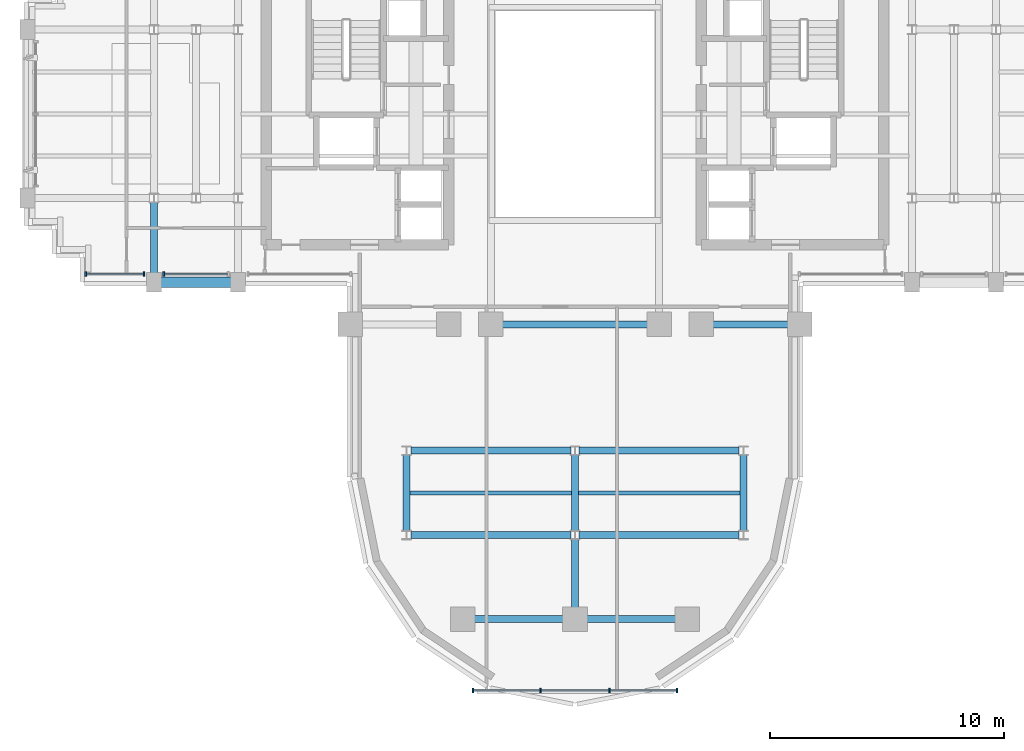
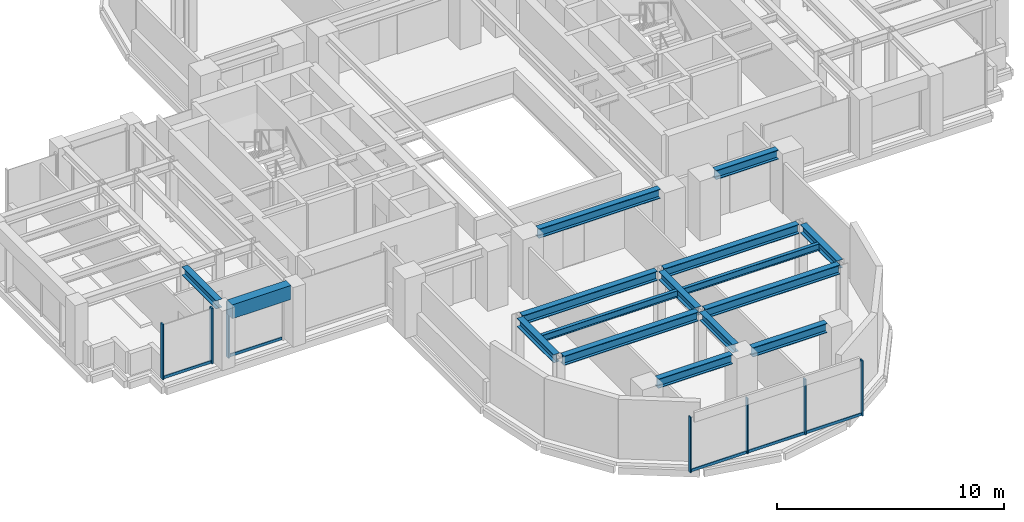
# One storey, part 3 of 13: 16 beams, 12 members, 3 elements without a shape of their own.
"""IFC4 building model written with IfcOpenShell, lengths in metres."""

from ifc_helpers import new_model, si_unit, direction, frame, origin, origin_2d, place, context, subcontext, project, spatial, rectangle, i_section, extrude, source, transform, mapped, material, material_profile, profile_set, type_object, element, aggregate, save


model = new_model("IFC4")

# Units and contexts
model_context = context("Model", 3, precision=1e-05, world=origin(), true_north=direction((0.0, 1.0)))
body_context = subcontext(model_context, "Body", "Model", "MODEL_VIEW")
ifc_project = project(units=[si_unit("LENGTHUNIT", "METRE"), si_unit("AREAUNIT", "SQUARE_METRE"), si_unit("VOLUMEUNIT", "CUBIC_METRE"), si_unit("PLANEANGLEUNIT", "RADIAN"), si_unit("MASSUNIT", "GRAM", prefix="KILO")], contexts=[model_context])

# Site, building, storey
site_placement = place(None, origin())
site = spatial("IfcSite", under=ifc_project, at=site_placement, CompositionType="ELEMENT")
building_placement = place(site_placement, origin())
building = spatial("IfcBuilding", under=site, at=building_placement, Name="Keilestroom Media Tower", CompositionType="ELEMENT")
storey_placement = place(building_placement, frame((0.0, 0.0, 141.39990234375)))
storey = spatial("IfcBuildingStorey", under=building, at=storey_placement, Name="L38", CompositionType="ELEMENT", Elevation=141.39990234375)

# Beams
ifc_material_1 = material(Name="Steel S355", Category="steel")
ifc_material_profile_1 = material_profile(ifc_material_1, i_section(OverallWidth=0.169921875, OverallDepth=0.360107421875, WebThickness=0.008056640625, FlangeThickness=0.0126953125, at=origin_2d()), Name="IPE 360")
ifc_profile_set_1 = profile_set([ifc_material_profile_1], Name="Steel S355")
beam_type_1 = type_object("IfcBeamType", Name="Secondary-Floor-Joist-IPE-360", PredefinedType="JOIST", material=ifc_profile_set_1)
shared_shape_1 = source(origin(), body_context, "Body", "SweptSolid", [
    extrude(i_section(OverallWidth=0.169921875, OverallDepth=0.360107421875, WebThickness=0.008056640625, FlangeThickness=0.0126953125, at=origin_2d()), origin(), (0.0, 0.0, 1.0), 6.940185546875),
])
for number, where, z_axis, x_axis, name in (
    (1, (-7.070068359375, -16.199951171875, 3.02001953125), (1.0, 0.0, 0.0), (0.0, 1.0, 0.0), "L38 Beam BJ-5 JST-L38-069"),
    (2, (0.1298828125, -16.199951171875, 3.02001953125), (1.0, 0.0, 0.0), (0.0, 1.0, 0.0), "L38 Beam BJ-5 JST-L38-070"),
):
    element("IfcBeam", number, at=place(storey_placement, frame(where, z_axis=z_axis, x_axis=x_axis)), inside=storey, type_object=beam_type_1, Name=name, PredefinedType="JOIST", context=body_context, shape_type="MappedRepresentation", body=[
        mapped(shared_shape_1, transform((0.0, 0.0, 0.0), x_axis=(1.0, 0.0, 0.0), y_axis=(0.0, 1.0, 0.0), z_axis=(0.0, 0.0, 1.0), scale=1.0)),
    ])
ifc_material_profile_2 = material_profile(ifc_material_1, i_section(OverallWidth=0.300048828125, OverallDepth=0.5, WebThickness=0.012451171875, FlangeThickness=0.028076171875, at=origin_2d()), Name="HEB 500")
ifc_profile_set_2 = profile_set([ifc_material_profile_2], Name="Steel S355")
beam_type_2 = type_object("IfcBeamType", Name="Primary-Structural-Girder-HEB-500", PredefinedType="BEAM", material=ifc_profile_set_2)
shared_shape_2 = source(origin(), body_context, "Body", "SweptSolid", [
    extrude(i_section(OverallWidth=0.300048828125, OverallDepth=0.5, WebThickness=0.012451171875, FlangeThickness=0.028076171875, at=origin_2d()), origin(), (0.0, 0.0, 1.0), 3.7900390625),
])
for number, where, z_axis, x_axis, name in (
    (3, (-4.294921875, -21.60009765625, 2.9501953125), (1.0, 0.0, 0.0), (0.0, 1.0, 0.0), "L38 Beam BG-6 BM-L38-EW-001"),
    (4, (0.5048828125, -21.60009765625, 2.9501953125), (1.0, 0.0, 0.0), (0.0, 1.0, 0.0), "L38 Beam BG-6 BM-L38-EW-002"),
):
    element("IfcBeam", number, at=place(storey_placement, frame(where, z_axis=z_axis, x_axis=x_axis)), inside=storey, type_object=beam_type_2, Name=name, PredefinedType="BEAM", context=body_context, shape_type="MappedRepresentation", body=[
        mapped(shared_shape_2, transform((0.0, 0.0, 0.0), x_axis=(1.0, 0.0, 0.0), y_axis=(0.0, 1.0, 0.0), z_axis=(0.0, 0.0, 1.0), scale=1.0)),
    ])
shared_shape_3 = source(origin(), body_context, "Body", "SweptSolid", [
    extrude(i_section(OverallWidth=0.300048828125, OverallDepth=0.5, WebThickness=0.012451171875, FlangeThickness=0.028076171875, at=origin_2d()), origin(), (0.0, 0.0, 1.0), 6.839111328125),
])
for number, where, z_axis, x_axis, name in (
    (5, (-7.01953125, -18.0, 2.9501953125), (1.0, 0.0, 0.0), (0.0, 1.0, 0.0), "L38 Beam BG-6 BM-L38-EW-003"),
    (6, (0.180419921875, -18.0, 2.9501953125), (1.0, 0.0, 0.0), (0.0, 1.0, 0.0), "L38 Beam BG-6 BM-L38-EW-004"),
    (7, (-7.01953125, -14.39990234375, 2.9501953125), (1.0, 0.0, 0.0), (0.0, 1.0, 0.0), "L38 Beam BG-6 BM-L38-EW-005"),
    (8, (0.180419921875, -14.39990234375, 2.9501953125), (1.0, 0.0, 0.0), (0.0, 1.0, 0.0), "L38 Beam BG-6 BM-L38-EW-006"),
):
    element("IfcBeam", number, at=place(storey_placement, frame(where, z_axis=z_axis, x_axis=x_axis)), inside=storey, type_object=beam_type_2, Name=name, PredefinedType="BEAM", context=body_context, shape_type="MappedRepresentation", body=[
        mapped(shared_shape_3, transform((0.0, 0.0, 0.0), x_axis=(1.0, 0.0, 0.0), y_axis=(0.0, 1.0, 0.0), z_axis=(0.0, 0.0, 1.0), scale=1.0)),
    ])
shared_shape_4 = source(origin(), body_context, "Body", "SweptSolid", [
    extrude(i_section(OverallWidth=0.300048828125, OverallDepth=0.5, WebThickness=0.012451171875, FlangeThickness=0.028076171875, at=origin_2d()), origin(), (0.0, 0.0, 1.0), 3.18994140625),
])
beam_1_placement = place(storey_placement, frame((5.905029296875, -9.0, 2.9501953125), z_axis=(1.0, 0.0, 0.0), x_axis=(0.0, 1.0, 0.0)))
element("IfcBeam", 9, at=beam_1_placement, inside=storey, type_object=beam_type_2, Name="L38 Beam BG-6 BM-L38-EW-011", PredefinedType="BEAM", context=body_context, shape_type="MappedRepresentation", body=[
    mapped(shared_shape_4, transform((0.0, 0.0, 0.0), x_axis=(1.0, 0.0, 0.0), y_axis=(0.0, 1.0, 0.0), z_axis=(0.0, 0.0, 1.0), scale=1.0)),
])
shared_shape_5 = source(origin(), body_context, "Body", "SweptSolid", [
    extrude(i_section(OverallWidth=0.300048828125, OverallDepth=0.5, WebThickness=0.012451171875, FlangeThickness=0.028076171875, at=origin_2d()), origin(), (0.0, 0.0, 1.0), 6.18994140625),
])
beam_2_placement = place(storey_placement, frame((-3.094970703125, -9.0, 2.9501953125), z_axis=(1.0, 0.0, 0.0), x_axis=(0.0, 1.0, 0.0)))
element("IfcBeam", 10, at=beam_2_placement, inside=storey, type_object=beam_type_2, Name="L38 Beam BG-6 BM-L38-EW-009", PredefinedType="BEAM", context=body_context, shape_type="MappedRepresentation", body=[
    mapped(shared_shape_5, transform((0.0, 0.0, 0.0), x_axis=(1.0, 0.0, 0.0), y_axis=(0.0, 1.0, 0.0), z_axis=(0.0, 0.0, 1.0), scale=1.0)),
])
ifc_material_2 = material(Name="Precast concrete C40/50", Category="concrete")
ifc_material_profile_3 = material_profile(ifc_material_2, rectangle(XDim=0.449951171875, YDim=0.75, at=origin_2d()), Name="PC 450x750")
ifc_profile_set_3 = profile_set([ifc_material_profile_3], Name="Precast concrete C40/50")
beam_type_3 = type_object("IfcBeamType", Name="Perimeter-Spandrel-Beam-PC-450x750", PredefinedType="SPANDREL", material=ifc_profile_set_3)
shared_shape_6 = source(origin(), body_context, "Body", "SweptSolid", [
    extrude(rectangle(XDim=0.449951171875, YDim=0.75, at=origin_2d()), origin(), (0.0, 0.0, 1.0), 2.989990234375),
])
beam_3_placement = place(storey_placement, frame((-17.695068359375, -7.199951171875, 2.8251953125), z_axis=(1.0, 0.0, 0.0), x_axis=(0.0, 1.0, 0.0)))
element("IfcBeam", 11, at=beam_3_placement, inside=storey, type_object=beam_type_3, Name="L38 Beam SPB-1 BM-L38-EW-012", PredefinedType="SPANDREL", context=body_context, shape_type="MappedRepresentation", body=[
    mapped(shared_shape_6, transform((0.0, 0.0, 0.0), x_axis=(1.0, 0.0, 0.0), y_axis=(0.0, 1.0, 0.0), z_axis=(0.0, 0.0, 1.0), scale=1.0)),
])
ifc_material_profile_4 = material_profile(ifc_material_1, i_section(OverallWidth=0.300048828125, OverallDepth=0.449951171875, WebThickness=0.011962890625, FlangeThickness=0.02587890625, at=origin_2d()), Name="HEB 450")
ifc_profile_set_4 = profile_set([ifc_material_profile_4], Name="Steel S355")
beam_type_4 = type_object("IfcBeamType", Name="Primary-Structural-Girder-HEB-450", PredefinedType="BEAM", material=ifc_profile_set_4)
shared_shape_7 = source(origin(), body_context, "Body", "SweptSolid", [
    extrude(i_section(OverallWidth=0.300048828125, OverallDepth=0.449951171875, WebThickness=0.011962890625, FlangeThickness=0.02587890625, at=origin_2d()), origin(), (0.0, 0.0, 1.0), 3.015380859375),
])
beam_4_placement = place(storey_placement, frame((-18.0, -6.794921875, 2.97509765625), z_axis=(0.0, 1.0, 0.0), x_axis=(-1.0, 0.0, 0.0)))
element("IfcBeam", 12, at=beam_4_placement, inside=storey, type_object=beam_type_4, Name="L38 Beam BG-7 BM-L38-NS-040", PredefinedType="BEAM", context=body_context, shape_type="MappedRepresentation", body=[
    mapped(shared_shape_7, transform((0.0, 0.0, 0.0), x_axis=(1.0, 0.0, 0.0), y_axis=(0.0, 1.0, 0.0), z_axis=(0.0, 0.0, 1.0), scale=1.0)),
])
shared_shape_8 = source(origin(), body_context, "Body", "SweptSolid", [
    extrude(i_section(OverallWidth=0.300048828125, OverallDepth=0.449951171875, WebThickness=0.011962890625, FlangeThickness=0.02587890625, at=origin_2d()), origin(), (0.0, 0.0, 1.0), 3.240966796875),
])
for number, where, z_axis, x_axis, name in (
    (13, (-7.199951171875, -17.820556640625, 2.97509765625), (0.0, 1.0, 0.0), (-1.0, 0.0, 0.0), "L38 Beam BG-7 BM-L38-NS-048"),
    (14, (0.0, -17.820556640625, 2.97509765625), (0.0, 1.0, 0.0), (-1.0, 0.0, 0.0), "L38 Beam BG-7 BM-L38-NS-053"),
    (15, (7.199951171875, -17.820556640625, 2.97509765625), (0.0, 1.0, 0.0), (-1.0, 0.0, 0.0), "L38 Beam BG-7 BM-L38-NS-058"),
):
    element("IfcBeam", number, at=place(storey_placement, frame(where, z_axis=z_axis, x_axis=x_axis)), inside=storey, type_object=beam_type_4, Name=name, PredefinedType="BEAM", context=body_context, shape_type="MappedRepresentation", body=[
        mapped(shared_shape_8, transform((0.0, 0.0, 0.0), x_axis=(1.0, 0.0, 0.0), y_axis=(0.0, 1.0, 0.0), z_axis=(0.0, 0.0, 1.0), scale=1.0)),
    ])
shared_shape_9 = source(origin(), body_context, "Body", "SweptSolid", [
    extrude(i_section(OverallWidth=0.300048828125, OverallDepth=0.449951171875, WebThickness=0.011962890625, FlangeThickness=0.02587890625, at=origin_2d()), origin(), (0.0, 0.0, 1.0), 2.91552734375),
])
beam_5_placement = place(storey_placement, frame((0.0, -21.094970703125, 2.97509765625), z_axis=(0.0, 1.0, 0.0), x_axis=(-1.0, 0.0, 0.0)))
element("IfcBeam", 16, at=beam_5_placement, inside=storey, type_object=beam_type_4, Name="L38 Beam BG-7 BM-L38-NS-052", PredefinedType="BEAM", context=body_context, shape_type="MappedRepresentation", body=[
    mapped(shared_shape_9, transform((0.0, 0.0, 0.0), x_axis=(1.0, 0.0, 0.0), y_axis=(0.0, 1.0, 0.0), z_axis=(0.0, 0.0, 1.0), scale=1.0)),
])

# Curtain wall, members
ifc_material_3 = material(Name="Anodised Aluminium Alloy", Category="aluminium")
curtain_wall_type_1 = type_object("IfcCurtainWallType", Name="Unitised-Curtain-Wall-CW-6", PredefinedType="NOTDEFINED", material=ifc_material_3)
curtain_wall_1_placement = place(storey_placement, origin())
curtain_wall_1 = element("IfcCurtainWall", 17, at=curtain_wall_1_placement, inside=storey, type_object=curtain_wall_type_1, Name="L38 Curtain Wall CW-6 CW-L38-LS-1", PredefinedType="NOTDEFINED")
ifc_material_profile_5 = material_profile(ifc_material_3, rectangle(XDim=0.06494140625, YDim=0.179931640625, at=origin_2d()), Name="ALU MULLION 65x180")
ifc_profile_set_5 = profile_set([ifc_material_profile_5], Name="Anodised Aluminium Alloy")
member_type_1 = type_object("IfcMemberType", Name="Curtain-Wall-Mullion-CW-6", PredefinedType="MULLION", material=ifc_profile_set_5)
shared_shape_10 = source(origin(), body_context, "Body", "SweptSolid", [
    extrude(rectangle(XDim=0.06494140625, YDim=0.179931640625, at=origin_2d()), origin(), (0.0, 0.0, 1.0), 2.97998046875),
])
member_1_placement = place(storey_placement, frame((-4.367431640625, -24.64990234375, 0.0), z_axis=(0.0, 0.0, 1.0), x_axis=(1.0, 0.0, 0.0)))
member_1 = element("IfcMember", 18, at=member_1_placement, type_object=member_type_1, Name="CW-6 Mullion 00", PredefinedType="MULLION", context=body_context, shape_type="MappedRepresentation", body=[
    mapped(shared_shape_10, transform((0.0, 0.0, 0.0), x_axis=(1.0, 0.0, 0.0), y_axis=(0.0, 1.0, 0.0), z_axis=(0.0, 0.0, 1.0), scale=1.0)),
])
member_2_placement = place(storey_placement, frame((-1.466796875, -24.64990234375, 0.0), z_axis=(0.0, 0.0, 1.0), x_axis=(1.0, 0.0, 0.0)))
member_2 = element("IfcMember", 19, at=member_2_placement, type_object=member_type_1, Name="CW-6 Mullion 01", PredefinedType="MULLION", context=body_context, shape_type="MappedRepresentation", body=[
    mapped(shared_shape_10, transform((0.0, 0.0, 0.0), x_axis=(1.0, 0.0, 0.0), y_axis=(0.0, 1.0, 0.0), z_axis=(0.0, 0.0, 1.0), scale=1.0)),
])
member_3_placement = place(storey_placement, frame((1.466796875, -24.64990234375, 0.0), z_axis=(0.0, 0.0, 1.0), x_axis=(1.0, 0.0, 0.0)))
member_3 = element("IfcMember", 20, at=member_3_placement, type_object=member_type_1, Name="CW-6 Mullion 02", PredefinedType="MULLION", context=body_context, shape_type="MappedRepresentation", body=[
    mapped(shared_shape_10, transform((0.0, 0.0, 0.0), x_axis=(1.0, 0.0, 0.0), y_axis=(0.0, 1.0, 0.0), z_axis=(0.0, 0.0, 1.0), scale=1.0)),
])
member_4_placement = place(storey_placement, frame((4.367431640625, -24.64990234375, 0.0), z_axis=(0.0, 0.0, 1.0), x_axis=(1.0, 0.0, 0.0)))
member_4 = element("IfcMember", 21, at=member_4_placement, type_object=member_type_1, Name="CW-6 Mullion 03", PredefinedType="MULLION", context=body_context, shape_type="MappedRepresentation", body=[
    mapped(shared_shape_10, transform((0.0, 0.0, 0.0), x_axis=(1.0, 0.0, 0.0), y_axis=(0.0, 1.0, 0.0), z_axis=(0.0, 0.0, 1.0), scale=1.0)),
])
ifc_material_profile_6 = material_profile(ifc_material_3, rectangle(XDim=0.06494140625, YDim=0.14990234375, at=origin_2d()), Name="ALU TRANSOM 65x150")
ifc_profile_set_6 = profile_set([ifc_material_profile_6], Name="Anodised Aluminium Alloy")
member_type_2 = type_object("IfcMemberType", Name="Curtain-Wall-Transom-CW-6", PredefinedType="USERDEFINED", material=ifc_profile_set_6)
shared_shape_11 = source(origin(), body_context, "Body", "SweptSolid", [
    extrude(rectangle(XDim=0.06494140625, YDim=0.14990234375, at=origin_2d()), origin(), (0.0, 0.0, 1.0), 2.839599609375),
])
member_5_placement = place(storey_placement, frame((-4.3369140625, -24.64990234375, 0.0751953125), z_axis=(1.0, 0.0, 0.0), x_axis=(0.0, 1.0, 0.0)))
member_5 = element("IfcMember", 22, at=member_5_placement, type_object=member_type_2, Name="CW-6 Transom 00.1", ObjectType="TRANSOM", PredefinedType="USERDEFINED", context=body_context, shape_type="MappedRepresentation", body=[
    mapped(shared_shape_11, transform((0.0, 0.0, 0.0), x_axis=(1.0, 0.0, 0.0), y_axis=(0.0, 1.0, 0.0), z_axis=(0.0, 0.0, 1.0), scale=1.0)),
])
member_6_placement = place(storey_placement, frame((1.497314453125, -24.64990234375, 0.0751953125), z_axis=(1.0, 0.0, 0.0), x_axis=(0.0, 1.0, 0.0)))
member_6 = element("IfcMember", 23, at=member_6_placement, type_object=member_type_2, Name="CW-6 Transom 02.1", ObjectType="TRANSOM", PredefinedType="USERDEFINED", context=body_context, shape_type="MappedRepresentation", body=[
    mapped(shared_shape_11, transform((0.0, 0.0, 0.0), x_axis=(1.0, 0.0, 0.0), y_axis=(0.0, 1.0, 0.0), z_axis=(0.0, 0.0, 1.0), scale=1.0)),
])
shared_shape_12 = source(origin(), body_context, "Body", "SweptSolid", [
    extrude(rectangle(XDim=0.06494140625, YDim=0.14990234375, at=origin_2d()), origin(), (0.0, 0.0, 1.0), 2.87255859375),
])
member_7_placement = place(storey_placement, frame((-1.436279296875, -24.64990234375, 0.0751953125), z_axis=(1.0, 0.0, 0.0), x_axis=(0.0, 1.0, 0.0)))
member_7 = element("IfcMember", 24, at=member_7_placement, type_object=member_type_2, Name="CW-6 Transom 01.1", ObjectType="TRANSOM", PredefinedType="USERDEFINED", context=body_context, shape_type="MappedRepresentation", body=[
    mapped(shared_shape_12, transform((0.0, 0.0, 0.0), x_axis=(1.0, 0.0, 0.0), y_axis=(0.0, 1.0, 0.0), z_axis=(0.0, 0.0, 1.0), scale=1.0)),
])
aggregate(curtain_wall_1, [member_1, member_2, member_3, member_4, member_5, member_7, member_6])

curtain_wall_type_2 = type_object("IfcCurtainWallType", Name="Unitised-Curtain-Wall-CW-2", PredefinedType="NOTDEFINED", material=ifc_material_3)
curtain_wall_2_placement = place(storey_placement, origin())
curtain_wall_2 = element("IfcCurtainWall", 25, at=curtain_wall_2_placement, inside=storey, type_object=curtain_wall_type_2, Name="L38 Curtain Wall CW-2 CW-L38-SW-1", PredefinedType="NOTDEFINED")
ifc_material_profile_7 = material_profile(ifc_material_3, rectangle(XDim=0.070068359375, YDim=0.199951171875, at=origin_2d()), Name="ALU MULLION 70x200")
ifc_profile_set_7 = profile_set([ifc_material_profile_7], Name="Anodised Aluminium Alloy")
member_type_3 = type_object("IfcMemberType", Name="Curtain-Wall-Mullion-CW-2", PredefinedType="MULLION", material=ifc_profile_set_7)
shared_shape_13 = source(origin(), body_context, "Body", "SweptSolid", [
    extrude(rectangle(XDim=0.070068359375, YDim=0.199951171875, at=origin_2d()), origin(), (0.0, 0.0, 1.0), 2.97998046875),
])
member_8_placement = place(storey_placement, frame((-20.9150390625, -6.85009765625, 0.0), z_axis=(0.0, 0.0, 1.0), x_axis=(1.0, 0.0, 0.0)))
member_8 = element("IfcMember", 26, at=member_8_placement, type_object=member_type_3, Name="CW-2 Mullion 00", PredefinedType="MULLION", context=body_context, shape_type="MappedRepresentation", body=[
    mapped(shared_shape_13, transform((0.0, 0.0, 0.0), x_axis=(1.0, 0.0, 0.0), y_axis=(0.0, 1.0, 0.0), z_axis=(0.0, 0.0, 1.0), scale=1.0)),
])
member_9_placement = place(storey_placement, frame((-18.419921875, -6.85009765625, 0.0), z_axis=(0.0, 0.0, 1.0), x_axis=(1.0, 0.0, 0.0)))
member_9 = element("IfcMember", 27, at=member_9_placement, type_object=member_type_3, Name="CW-2 Mullion 01", PredefinedType="MULLION", context=body_context, shape_type="MappedRepresentation", body=[
    mapped(shared_shape_13, transform((0.0, 0.0, 0.0), x_axis=(1.0, 0.0, 0.0), y_axis=(0.0, 1.0, 0.0), z_axis=(0.0, 0.0, 1.0), scale=1.0)),
])

# Curtain wall, member
curtain_wall_3_placement = place(storey_placement, origin())
curtain_wall_3 = element("IfcCurtainWall", 28, at=curtain_wall_3_placement, inside=storey, type_object=curtain_wall_type_2, Name="L38 Curtain Wall CW-2 CW-L38-SW-2", PredefinedType="NOTDEFINED")
member_10_placement = place(storey_placement, frame((-17.580078125, -6.85009765625, 0.0), z_axis=(0.0, 0.0, 1.0), x_axis=(1.0, 0.0, 0.0)))
member_10 = element("IfcMember", 29, at=member_10_placement, type_object=member_type_3, Name="CW-2 Mullion 00", PredefinedType="MULLION", context=body_context, shape_type="MappedRepresentation", body=[
    mapped(shared_shape_13, transform((0.0, 0.0, 0.0), x_axis=(1.0, 0.0, 0.0), y_axis=(0.0, 1.0, 0.0), z_axis=(0.0, 0.0, 1.0), scale=1.0)),
])

# Member
ifc_material_profile_8 = material_profile(ifc_material_3, rectangle(XDim=0.06494140625, YDim=0.14990234375, at=origin_2d()), Name="ALU TRANSOM 65x150")
ifc_profile_set_8 = profile_set([ifc_material_profile_8], Name="Anodised Aluminium Alloy")
member_type_4 = type_object("IfcMemberType", Name="Curtain-Wall-Transom-CW-2", PredefinedType="USERDEFINED", material=ifc_profile_set_8)
shared_shape_14 = source(origin(), body_context, "Body", "SweptSolid", [
    extrude(rectangle(XDim=0.06494140625, YDim=0.14990234375, at=origin_2d()), origin(), (0.0, 0.0, 1.0), 2.42919921875),
])
member_11_placement = place(storey_placement, frame((-20.882080078125, -6.85009765625, 0.0751953125), z_axis=(1.0, 0.0, 0.0), x_axis=(0.0, 1.0, 0.0)))
member_11 = element("IfcMember", 30, at=member_11_placement, type_object=member_type_4, Name="CW-2 Transom 00.1", ObjectType="TRANSOM", PredefinedType="USERDEFINED", context=body_context, shape_type="MappedRepresentation", body=[
    mapped(shared_shape_14, transform((0.0, 0.0, 0.0), x_axis=(1.0, 0.0, 0.0), y_axis=(0.0, 1.0, 0.0), z_axis=(0.0, 0.0, 1.0), scale=1.0)),
])

aggregate(curtain_wall_2, [member_8, member_9, member_11])

shared_shape_15 = source(origin(), body_context, "Body", "SweptSolid", [
    extrude(rectangle(XDim=0.06494140625, YDim=0.14990234375, at=origin_2d()), origin(), (0.0, 0.0, 1.0), 2.694091796875),
])
member_12_placement = place(storey_placement, frame((-17.547119140625, -6.85009765625, 0.0751953125), z_axis=(1.0, 0.0, 0.0), x_axis=(0.0, 1.0, 0.0)))
member_12 = element("IfcMember", 31, at=member_12_placement, type_object=member_type_4, Name="CW-2 Transom 00.1", ObjectType="TRANSOM", PredefinedType="USERDEFINED", context=body_context, shape_type="MappedRepresentation", body=[
    mapped(shared_shape_15, transform((0.0, 0.0, 0.0), x_axis=(1.0, 0.0, 0.0), y_axis=(0.0, 1.0, 0.0), z_axis=(0.0, 0.0, 1.0), scale=1.0)),
])

aggregate(curtain_wall_3, [member_10, member_12])

save(model, "model.ifc")
